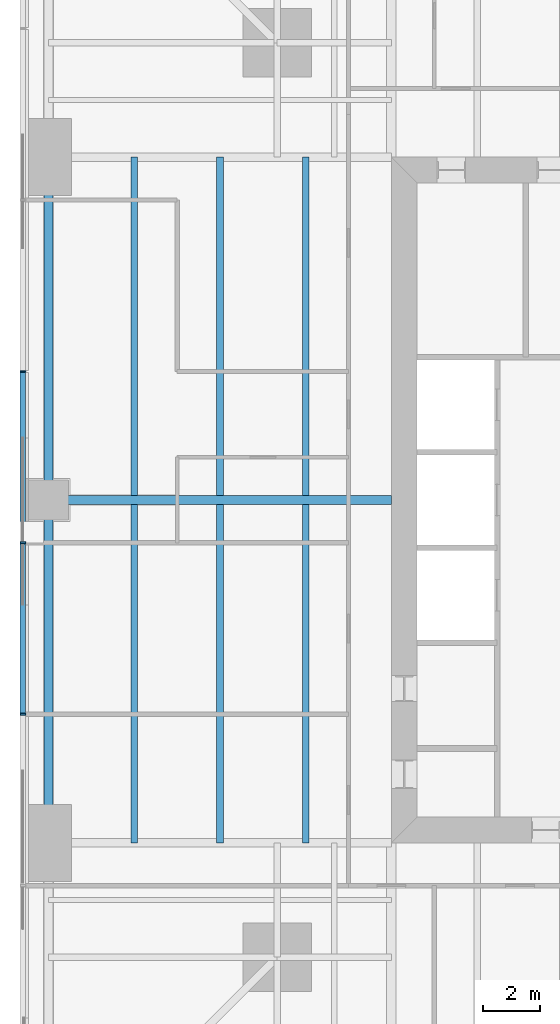
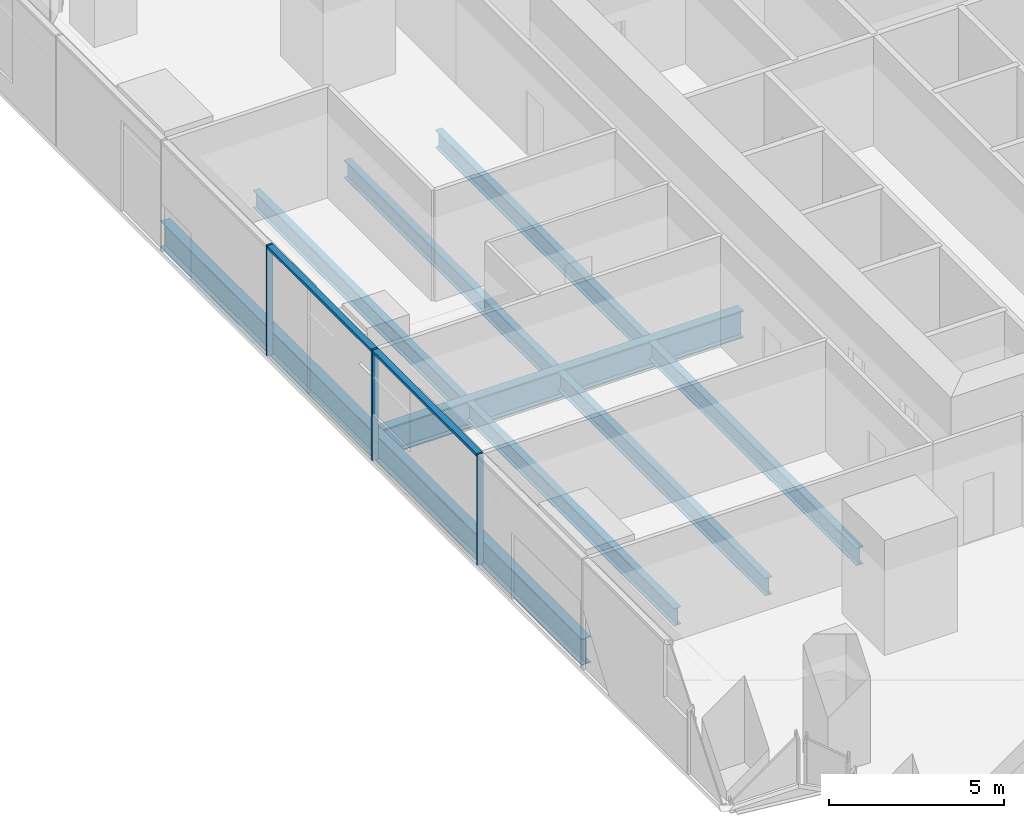
# One storey, part 4 of 14: 9 beams, 5 members, 1 element without a shape of its own.
"""IFC4 building model written with IfcOpenShell, lengths in metres."""

from ifc_helpers import new_model, si_unit, direction, frame, origin, origin_2d, place, context, subcontext, project, spatial, rectangle, i_section, extrude, material, material_profile, profile_set, type_object, element, aggregate, save


model = new_model("IFC4")

# Units and contexts
model_context = context("Model", 3, precision=1e-05, world=origin(), true_north=direction((0.0, 1.0)))
body_context = subcontext(model_context, "Body", "Model", "MODEL_VIEW")
ifc_project = project(units=[si_unit("LENGTHUNIT", "METRE"), si_unit("AREAUNIT", "SQUARE_METRE"), si_unit("VOLUMEUNIT", "CUBIC_METRE"), si_unit("PLANEANGLEUNIT", "RADIAN"), si_unit("MASSUNIT", "GRAM", prefix="KILO")], contexts=[model_context])

# Site, building, storey
site_placement = place(None, origin())
site = spatial("IfcSite", under=ifc_project, at=site_placement, CompositionType="ELEMENT")
building_placement = place(site_placement, origin())
building = spatial("IfcBuilding", under=site, at=building_placement, Name="Fenwick Lantern Interchange", CompositionType="ELEMENT")
storey_placement = place(building_placement, frame((0.0, 0.0, 71.0)))
storey = spatial("IfcBuildingStorey", under=building, at=storey_placement, Name="L16", CompositionType="ELEMENT", Elevation=71.0)

# Beams
ifc_material_1 = material(Name="Steel ASTM A992 Grade 50", Category="steel")
ifc_material_profile_1 = material_profile(ifc_material_1, i_section(OverallWidth=0.3046875, OverallDepth=0.911865234375, WebThickness=0.015869140625, FlangeThickness=0.02392578125, at=origin_2d()), Name="W36X150")
ifc_profile_set_1 = profile_set([ifc_material_profile_1], Name="Steel ASTM A992 Grade 50")
beam_type_1 = type_object("IfcBeamType", Name="EDGE BEAM W36X150", PredefinedType="SPANDREL", material=ifc_profile_set_1)
for number, where, z_axis, x_axis, name in (
    (1, (1.0, 37.0, -0.60595703125), (0.0, -1.0, 0.0), (1.0, 0.0, 0.0), "L16/FR/W/EB2"),
    (2, (1.0, 25.0, -0.60595703125), (0.0, -1.0, 0.0), (1.0, 0.0, 0.0), "L16/FR/W/EB3"),
):
    element("IfcBeam", number, at=place(storey_placement, frame(where, z_axis=z_axis, x_axis=x_axis)), inside=storey, type_object=beam_type_1, Name=name, PredefinedType="SPANDREL", context=body_context, shape_type="SweptSolid", body=[
        extrude(i_section(OverallWidth=0.3046875, OverallDepth=0.911865234375, WebThickness=0.015869140625, FlangeThickness=0.02392578125, at=origin_2d()), origin(), (0.0, 0.0, 1.0), 12.0),
    ])
ifc_material_profile_2 = material_profile(ifc_material_1, i_section(OverallWidth=0.22900390625, OverallDepth=0.612060546875, WebThickness=0.011962890625, FlangeThickness=0.01953125, at=origin_2d()), Name="W24X84")
ifc_profile_set_2 = profile_set([ifc_material_profile_2], Name="Steel ASTM A992 Grade 50")
beam_type_2 = type_object("IfcBeamType", Name="FLOOR BEAM W24X84", PredefinedType="BEAM", material=ifc_profile_set_2)
for number, where, z_axis, x_axis, name in (
    (3, (4.0, 37.0, -0.4560546875), (0.0, -1.0, 0.0), (1.0, 0.0, 0.0), "L16/FR/W/B01"),
    (4, (7.0, 37.0, -0.4560546875), (0.0, -1.0, 0.0), (1.0, 0.0, 0.0), "L16/FR/W/B02"),
    (5, (10.0, 37.0, -0.4560546875), (0.0, -1.0, 0.0), (1.0, 0.0, 0.0), "L16/FR/W/B03"),
    (6, (4.0, 24.844970703125, -0.4560546875), (0.0, -1.0, 0.0), (1.0, 0.0, 0.0), "L16/FR/W/B04"),
    (7, (7.0, 24.844970703125, -0.4560546875), (0.0, -1.0, 0.0), (1.0, 0.0, 0.0), "L16/FR/W/B05"),
    (8, (10.0, 24.844970703125, -0.4560546875), (0.0, -1.0, 0.0), (1.0, 0.0, 0.0), "L16/FR/W/B06"),
):
    element("IfcBeam", number, at=place(storey_placement, frame(where, z_axis=z_axis, x_axis=x_axis)), inside=storey, type_object=beam_type_2, Name=name, PredefinedType="BEAM", context=body_context, shape_type="SweptSolid", body=[
        extrude(i_section(OverallWidth=0.22900390625, OverallDepth=0.612060546875, WebThickness=0.011962890625, FlangeThickness=0.01953125, at=origin_2d()), origin(), (0.0, 0.0, 1.0), 11.844970703125),
    ])
ifc_material_profile_3 = material_profile(ifc_material_1, i_section(OverallWidth=0.309814453125, OverallDepth=0.949951171875, WebThickness=0.0244140625, FlangeThickness=0.0439453125, at=origin_2d()), Name="W36X256")
ifc_profile_set_3 = profile_set([ifc_material_profile_3], Name="Steel ASTM A992 Grade 50")
beam_type_3 = type_object("IfcBeamType", Name="MOMENT-CONNECTED GIRDER W36X256", PredefinedType="BEAM", material=ifc_profile_set_3)
beam_placement = place(storey_placement, frame((1.0, 25.0, -0.625), z_axis=(1.0, 0.0, 0.0), x_axis=(0.0, 1.0, 0.0)))
element("IfcBeam", 9, at=beam_placement, inside=storey, type_object=beam_type_3, Name="L16/FR/W/R02", PredefinedType="BEAM", context=body_context, shape_type="SweptSolid", body=[
    extrude(i_section(OverallWidth=0.309814453125, OverallDepth=0.949951171875, WebThickness=0.0244140625, FlangeThickness=0.0439453125, at=origin_2d()), origin(), (0.0, 0.0, 1.0), 12.0),
])

# Curtain wall, members
ifc_material_2 = material(Name="Aluminium curtain wall frame", Category="aluminium")
curtain_wall_type = type_object("IfcCurtainWallType", Name="OFFICE CURTAIN WALL", PredefinedType="USERDEFINED", material=ifc_material_2)
curtain_wall_placement = place(storey_placement, origin())
curtain_wall = element("IfcCurtainWall", 10, at=curtain_wall_placement, inside=storey, type_object=curtain_wall_type, Name="Office curtain wall 13", ObjectType="OFFICE CURTAIN WALL", PredefinedType="USERDEFINED")
ifc_material_3 = material(Name="Aluminium extrusion", Category="aluminium")
ifc_material_profile_4 = material_profile(ifc_material_3, rectangle(XDim=0.199951171875, YDim=0.06494140625, at=origin_2d()), Name="OFFICE CURTAIN WALL MULLION 65 X 200")
ifc_profile_set_4 = profile_set([ifc_material_profile_4], Name="Aluminium extrusion")
member_type_1 = type_object("IfcMemberType", Name="OFFICE CURTAIN WALL MULLION 65 X 200", PredefinedType="MULLION", material=ifc_profile_set_4)
member_1_placement = place(storey_placement, frame((0.10009765625, 29.5, 0.0), z_axis=(0.0, 0.0, 1.0), x_axis=(1.0, 0.0, 0.0)))
member_1 = element("IfcMember", 11, at=member_1_placement, type_object=member_type_1, Name="L16/CW/13/M03", PredefinedType="MULLION", context=body_context, shape_type="SweptSolid", body=[
    extrude(rectangle(XDim=0.199951171875, YDim=0.06494140625, at=origin_2d()), origin(), (0.0, 0.0, 1.0), 3.85009765625),
])
member_2_placement = place(storey_placement, frame((0.10009765625, 23.5, 0.0), z_axis=(0.0, 0.0, 1.0), x_axis=(1.0, 0.0, 0.0)))
member_2 = element("IfcMember", 12, at=member_2_placement, type_object=member_type_1, Name="L16/CW/13/M04", PredefinedType="MULLION", context=body_context, shape_type="SweptSolid", body=[
    extrude(rectangle(XDim=0.199951171875, YDim=0.06494140625, at=origin_2d()), origin(), (0.0, 0.0, 1.0), 3.85009765625),
])
member_3_placement = place(storey_placement, frame((0.10009765625, 17.5, 0.0), z_axis=(0.0, 0.0, 1.0), x_axis=(1.0, 0.0, 0.0)))
member_3 = element("IfcMember", 13, at=member_3_placement, type_object=member_type_1, Name="L16/CW/13/M05", PredefinedType="MULLION", context=body_context, shape_type="SweptSolid", body=[
    extrude(rectangle(XDim=0.199951171875, YDim=0.06494140625, at=origin_2d()), origin(), (0.0, 0.0, 1.0), 3.85009765625),
])
ifc_material_profile_5 = material_profile(ifc_material_3, rectangle(XDim=0.199951171875, YDim=0.10009765625, at=origin_2d()), Name="OFFICE CURTAIN WALL TRANSOM 100 X 200")
ifc_profile_set_5 = profile_set([ifc_material_profile_5], Name="Aluminium extrusion")
member_type_2 = type_object("IfcMemberType", Name="OFFICE CURTAIN WALL TRANSOM 100 X 200", PredefinedType="MULLION", material=ifc_profile_set_5)
member_4_placement = place(storey_placement, frame((0.10009765625, 29.467529296875, 3.800048828125), z_axis=(0.0, -1.0, 0.0), x_axis=(1.0, 0.0, 0.0)))
member_4 = element("IfcMember", 14, at=member_4_placement, type_object=member_type_2, Name="L16/CW/13/T03", PredefinedType="MULLION", context=body_context, shape_type="SweptSolid", body=[
    extrude(rectangle(XDim=0.199951171875, YDim=0.10009765625, at=origin_2d()), origin(), (0.0, 0.0, 1.0), 5.93505859375),
])
member_5_placement = place(storey_placement, frame((0.10009765625, 23.467529296875, 3.800048828125), z_axis=(0.0, -1.0, 0.0), x_axis=(1.0, 0.0, 0.0)))
member_5 = element("IfcMember", 15, at=member_5_placement, type_object=member_type_2, Name="L16/CW/13/T04", PredefinedType="MULLION", context=body_context, shape_type="SweptSolid", body=[
    extrude(rectangle(XDim=0.199951171875, YDim=0.10009765625, at=origin_2d()), origin(), (0.0, 0.0, 1.0), 5.93505859375),
])
aggregate(curtain_wall, [member_1, member_2, member_3, member_4, member_5])

save(model, "model.ifc")
